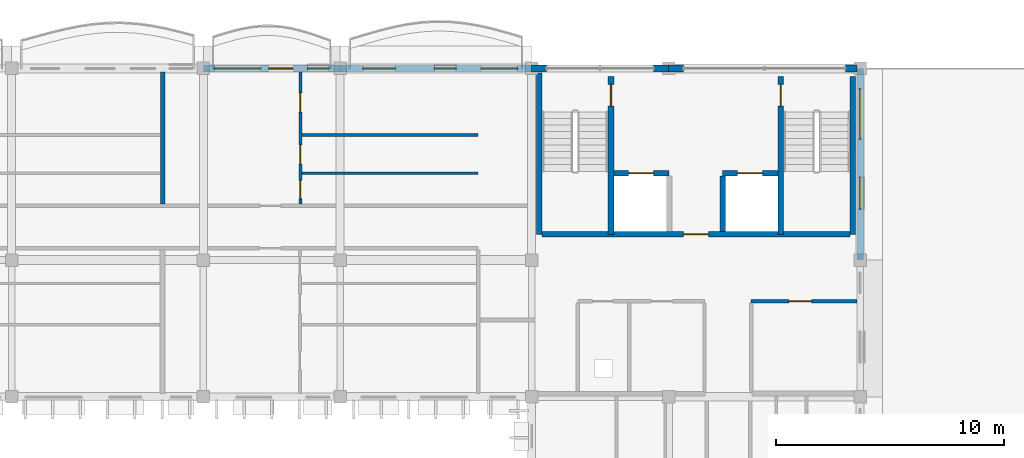
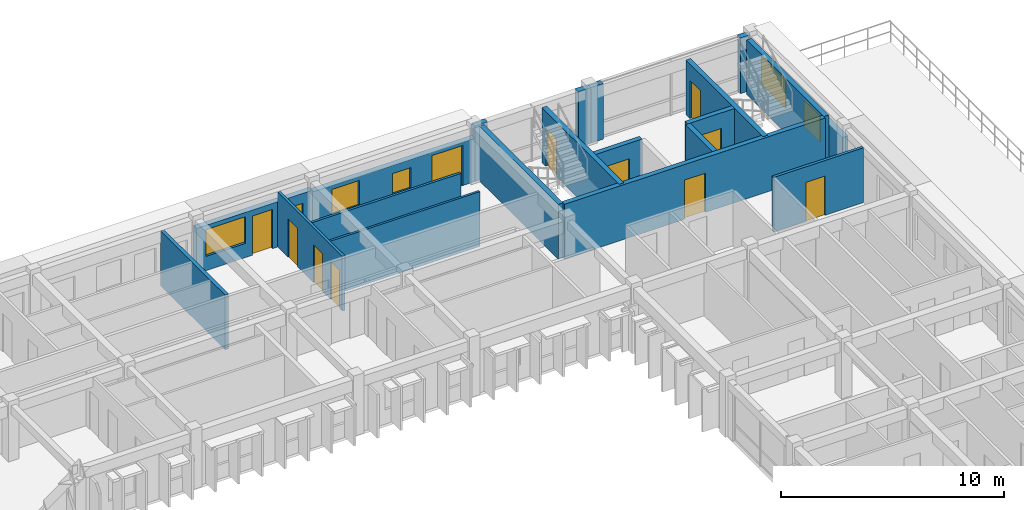
# One storey, part 45 of 68: 20 walls, 11 doors, 6 windows, 17 openings.
"""IFC4 building model written with IfcOpenShell, lengths in metres."""

from ifc_helpers import new_model, si_unit, direction, frame, frame_2d, origin, place, context, subcontext, project, spatial, rectangle, extrude, material, layer, layer_set, type_object, element, fill, save


model = new_model("IFC4")

# Units and contexts
model_context = context("Model", 3, precision=1e-05, world=origin(), true_north=direction((0.0, 1.0)))
body_context = subcontext(model_context, "Body", "Model", "MODEL_VIEW")
ifc_project = project(units=[si_unit("LENGTHUNIT", "METRE"), si_unit("AREAUNIT", "SQUARE_METRE"), si_unit("VOLUMEUNIT", "CUBIC_METRE"), si_unit("PLANEANGLEUNIT", "RADIAN"), si_unit("MASSUNIT", "GRAM", prefix="KILO"), si_unit("THERMODYNAMICTEMPERATUREUNIT", "KELVIN")], contexts=[model_context])

# Site, building, storey
site_placement = place(None, origin())
site = spatial("IfcSite", under=ifc_project, at=site_placement, CompositionType="ELEMENT")
building_placement = place(site_placement, origin())
building = spatial("IfcBuilding", under=site, at=building_placement, Name="Thalorik Housing Commons", CompositionType="ELEMENT")
storey_placement = place(building_placement, frame((0.0, 0.0, 24.60009765625)))
storey = spatial("IfcBuildingStorey", under=building, at=storey_placement, Name="L07", CompositionType="ELEMENT", Elevation=24.60009765625)

# Wall, opening, door
ifc_material_1 = material(Name="Concrete C40/50", Category="concrete")
ifc_layer_1 = layer(ifc_material_1, 0.25, Name="Concrete C40/50", Category="concrete")
ifc_layer_set_1 = layer_set([ifc_layer_1], Name="Concrete C40/50")
wall_type_1 = type_object("IfcWallType", Name="ARC-WAL-CORE-250", PredefinedType="SHEAR", material=ifc_layer_set_1)
wall_1_placement = place(storey_placement, frame((155.875, 123.25, 0.0), z_axis=(0.0, 0.0, 1.0), x_axis=(0.0, -1.0, 0.0)))
wall_1 = element("IfcWall", 1, at=wall_1_placement, inside=storey, type_object=wall_type_1, Name="L07 Core B Stair 1 Shear Wall", PredefinedType="SHEAR", context=body_context, shape_type="SweptSolid", body=[
    extrude(rectangle(XDim=6.925048828125, YDim=0.25, at=frame_2d((3.46240234375, 0.0))), origin(), (0.0, 0.0, 1.0), 3.0),
])
opening_1_placement = place(wall_1_placement, frame((0.35009765625, 0.0, 0.0)))
opening_1 = element("IfcOpeningElement", 2, at=opening_1_placement, cuts=wall_1, Name="Opening ID-0201", PredefinedType="OPENING", context=body_context, shape_type="SweptSolid", body=[
    extrude(rectangle(XDim=0.949951171875, YDim=2.10009765625, at=frame_2d((0.47509765625, 1.050048828125))), frame((0.0, 0.135009765625, 0.0), z_axis=(0.0, -1.0, 0.0), x_axis=(1.0, 0.0, 0.0)), (0.0, 0.0, 1.0), 0.27001953125),
])
ifc_material_2 = material(Name="Steel S355", Category="steel")
door_type_1 = type_object("IfcDoorType", Name="ARC-DR-FD60-950", OperationType="NOTDEFINED", PredefinedType="DOOR", material=ifc_material_2)
door_1_placement = place(opening_1_placement, origin())
door_1 = element("IfcDoor", 3, at=door_1_placement, inside=storey, type_object=door_type_1, Name="L07 Stair ST-B1 Fire Door", OperationType="SINGLE_SWING_RIGHT", OverallHeight=2.10009765625, OverallWidth=0.949951171875, PredefinedType="DOOR", context=body_context, shape_type="SweptSolid", body=[
    extrude(rectangle(XDim=0.949951171875, YDim=2.10009765625, at=frame_2d((0.47509765625, 1.050048828125))), frame((0.0, 0.02490234375, 0.0), z_axis=(0.0, -1.0, 0.0), x_axis=(1.0, 0.0, 0.0)), (0.0, 0.0, 1.0), 0.050048828125),
])
fill(opening_1, door_1)

# Walls
wall_2_placement = place(storey_placement, frame((152.72509765625, 123.39990234375, 0.0), z_axis=(0.0, 0.0, 1.0), x_axis=(0.0, -1.0, 0.0)))
element("IfcWall", 4, at=wall_2_placement, inside=storey, type_object=wall_type_1, Name="L07 Core B Stair 1 Outer Shear Wall", PredefinedType="SHEAR", context=body_context, shape_type="SweptSolid", body=[
    extrude(rectangle(XDim=7.074951171875, YDim=0.25, at=frame_2d((3.53759765625, 0.0))), origin(), (0.0, 0.0, 1.0), 3.0),
])
wall_3_placement = place(storey_placement, frame((166.47509765625, 123.25, 0.0), z_axis=(0.0, 0.0, 1.0), x_axis=(0.0, -1.0, 0.0)))
element("IfcWall", 5, at=wall_3_placement, inside=storey, type_object=wall_type_1, Name="L07 Core B Stair 2 Outer Shear Wall", PredefinedType="SHEAR", context=body_context, shape_type="SweptSolid", body=[
    extrude(rectangle(XDim=6.925048828125, YDim=0.25, at=frame_2d((3.46240234375, 0.0))), origin(), (0.0, 0.0, 1.0), 3.0),
])

# Wall, opening, door
wall_4_placement = place(storey_placement, frame((163.324951171875, 123.25, 0.0), z_axis=(0.0, 0.0, 1.0), x_axis=(0.0, -1.0, 0.0)))
wall_4 = element("IfcWall", 6, at=wall_4_placement, inside=storey, type_object=wall_type_1, Name="L07 Core B Stair 2 Shear Wall", PredefinedType="SHEAR", context=body_context, shape_type="SweptSolid", body=[
    extrude(rectangle(XDim=6.925048828125, YDim=0.25, at=frame_2d((3.46240234375, 0.0))), origin(), (0.0, 0.0, 1.0), 3.0),
])
opening_2_placement = place(wall_4_placement, frame((0.35009765625, 0.0, 0.0)))
opening_2 = element("IfcOpeningElement", 7, at=opening_2_placement, cuts=wall_4, Name="Opening ID-0202", PredefinedType="OPENING", context=body_context, shape_type="SweptSolid", body=[
    extrude(rectangle(XDim=0.949951171875, YDim=2.10009765625, at=frame_2d((0.47509765625, 1.050048828125))), frame((0.0, 0.135009765625, 0.0), z_axis=(0.0, -1.0, 0.0), x_axis=(1.0, 0.0, 0.0)), (0.0, 0.0, 1.0), 0.27001953125),
])
door_2_placement = place(opening_2_placement, origin())
door_2 = element("IfcDoor", 8, at=door_2_placement, inside=storey, type_object=door_type_1, Name="L07 Stair ST-B2 Fire Door", OperationType="SINGLE_SWING_LEFT", OverallHeight=2.10009765625, OverallWidth=0.949951171875, PredefinedType="DOOR", context=body_context, shape_type="SweptSolid", body=[
    extrude(rectangle(XDim=0.949951171875, YDim=2.10009765625, at=frame_2d((0.47509765625, 1.050048828125))), frame((0.0, 0.02490234375, 0.0), z_axis=(0.0, -1.0, 0.0), x_axis=(1.0, 0.0, 0.0)), (0.0, 0.0, 1.0), 0.050048828125),
])
fill(opening_2, door_2)

wall_5_placement = place(storey_placement, frame((156.0, 119.0, 0.0), z_axis=(0.0, 0.0, 1.0), x_axis=(1.0, 0.0, 0.0)))
wall_5 = element("IfcWall", 9, at=wall_5_placement, inside=storey, type_object=wall_type_1, Name="L07 Lift LF-B1 Front Shaft Wall", PredefinedType="SHEAR", context=body_context, shape_type="SweptSolid", body=[
    extrude(rectangle(XDim=2.425048828125, YDim=0.25, at=frame_2d((1.21240234375, 0.0))), origin(), (0.0, 0.0, 1.0), 3.0),
])
opening_3_placement = place(wall_5_placement, frame((0.64990234375, 0.0, 0.0)))
opening_3 = element("IfcOpeningElement", 10, at=opening_3_placement, cuts=wall_5, Name="Opening LD-LF-B1-L07", PredefinedType="OPENING", context=body_context, shape_type="SweptSolid", body=[
    extrude(rectangle(XDim=1.10009765625, YDim=2.14990234375, at=frame_2d((0.550048828125, 1.074951171875))), frame((0.0, 0.135009765625, 0.0), z_axis=(0.0, -1.0, 0.0), x_axis=(1.0, 0.0, 0.0)), (0.0, 0.0, 1.0), 0.27001953125),
])
door_type_2 = type_object("IfcDoorType", Name="ARC-DR-LIFT-1100", OperationType="NOTDEFINED", PredefinedType="DOOR", material=ifc_material_2)
door_3_placement = place(opening_3_placement, origin())
door_3 = element("IfcDoor", 11, at=door_3_placement, inside=storey, type_object=door_type_2, Name="L07 Lift LF-B1 Landing Door", OperationType="SLIDING_TO_LEFT", OverallHeight=2.14990234375, OverallWidth=1.10009765625, PredefinedType="DOOR", context=body_context, shape_type="SweptSolid", body=[
    extrude(rectangle(XDim=1.10009765625, YDim=2.14990234375, at=frame_2d((0.550048828125, 1.074951171875))), frame((0.0, 0.02490234375, 0.0), z_axis=(0.0, -1.0, 0.0), x_axis=(1.0, 0.0, 0.0)), (0.0, 0.0, 1.0), 0.050048828125),
])
fill(opening_3, door_3)

wall_6_placement = place(storey_placement, frame((160.77490234375, 119.0, 0.0), z_axis=(0.0, 0.0, 1.0), x_axis=(1.0, 0.0, 0.0)))
wall_6 = element("IfcWall", 12, at=wall_6_placement, inside=storey, type_object=wall_type_1, Name="L07 Lift LP-B2 Front Shaft Wall", PredefinedType="SHEAR", context=body_context, shape_type="SweptSolid", body=[
    extrude(rectangle(XDim=2.425048828125, YDim=0.25, at=frame_2d((1.21240234375, 0.0))), origin(), (0.0, 0.0, 1.0), 3.0),
])
opening_4_placement = place(wall_6_placement, frame((0.64990234375, 0.0, 0.0)))
opening_4 = element("IfcOpeningElement", 13, at=opening_4_placement, cuts=wall_6, Name="Opening LD-LP-B2-L07", PredefinedType="OPENING", context=body_context, shape_type="SweptSolid", body=[
    extrude(rectangle(XDim=1.10009765625, YDim=2.14990234375, at=frame_2d((0.550048828125, 1.074951171875))), frame((0.0, 0.135009765625, 0.0), z_axis=(0.0, -1.0, 0.0), x_axis=(1.0, 0.0, 0.0)), (0.0, 0.0, 1.0), 0.27001953125),
])
door_4_placement = place(opening_4_placement, origin())
door_4 = element("IfcDoor", 14, at=door_4_placement, inside=storey, type_object=door_type_2, Name="L07 Lift LP-B2 Landing Door", OperationType="SLIDING_TO_LEFT", OverallHeight=2.14990234375, OverallWidth=1.10009765625, PredefinedType="DOOR", context=body_context, shape_type="SweptSolid", body=[
    extrude(rectangle(XDim=1.10009765625, YDim=2.14990234375, at=frame_2d((0.550048828125, 1.074951171875))), frame((0.0, 0.02490234375, 0.0), z_axis=(0.0, -1.0, 0.0), x_axis=(1.0, 0.0, 0.0)), (0.0, 0.0, 1.0), 0.050048828125),
])
fill(opening_4, door_4)

# Wall
wall_7_placement = place(storey_placement, frame((160.77490234375, 118.875, 0.0), z_axis=(0.0, 0.0, 1.0), x_axis=(0.0, -1.0, 0.0)))
element("IfcWall", 15, at=wall_7_placement, inside=storey, type_object=wall_type_1, Name="L07 Lift 2 Cheek Wall", PredefinedType="SHEAR", context=body_context, shape_type="SweptSolid", body=[
    extrude(rectangle(XDim=2.425048828125, YDim=0.25, at=frame_2d((1.21240234375, 0.0))), origin(), (0.0, 0.0, 1.0), 3.0),
])

# Wall, opening, door
wall_8_placement = place(storey_placement, frame((152.85009765625, 116.324951171875, 0.0), z_axis=(0.0, 0.0, 1.0), x_axis=(1.0, 0.0, 0.0)))
wall_8 = element("IfcWall", 16, at=wall_8_placement, inside=storey, type_object=wall_type_1, Name="L07 Core B Spine Shear Wall", PredefinedType="SHEAR", context=body_context, shape_type="SweptSolid", body=[
    extrude(rectangle(XDim=13.5, YDim=0.25, at=frame_2d((6.75, 0.0))), origin(), (0.0, 0.0, 1.0), 3.0),
])
opening_5_placement = place(wall_8_placement, frame((6.199951171875, 0.0, 0.0)))
opening_5 = element("IfcOpeningElement", 17, at=opening_5_placement, cuts=wall_8, Name="Opening ID-0205", PredefinedType="OPENING", context=body_context, shape_type="SweptSolid", body=[
    extrude(rectangle(XDim=1.10009765625, YDim=2.14990234375, at=frame_2d((0.550048828125, 1.074951171875))), frame((0.0, 0.135009765625, 0.0), z_axis=(0.0, -1.0, 0.0), x_axis=(1.0, 0.0, 0.0)), (0.0, 0.0, 1.0), 0.27001953125),
])
door_type_3 = type_object("IfcDoorType", Name="ARC-DR-FD60-1100", OperationType="NOTDEFINED", PredefinedType="DOOR", material=ifc_material_2)
door_5_placement = place(opening_5_placement, origin())
door_5 = element("IfcDoor", 18, at=door_5_placement, inside=storey, type_object=door_type_3, Name="L07 Core B Lobby Fire Door", OperationType="SINGLE_SWING_RIGHT", OverallHeight=2.14990234375, OverallWidth=1.10009765625, PredefinedType="DOOR", context=body_context, shape_type="SweptSolid", body=[
    extrude(rectangle(XDim=1.10009765625, YDim=2.14990234375, at=frame_2d((0.550048828125, 1.074951171875))), frame((0.0, 0.02490234375, 0.0), z_axis=(0.0, -1.0, 0.0), x_axis=(1.0, 0.0, 0.0)), (0.0, 0.0, 1.0), 0.050048828125),
])
fill(opening_5, door_5)

# Wall, openings, windows
ifc_material_3 = material(Name="White precast concrete C40/50", Category="concrete")
ifc_layer_2 = layer(ifc_material_3, 0.2900390625, Name="White precast concrete C40/50", Category="concrete")
ifc_layer_set_2 = layer_set([ifc_layer_2], Name="White precast concrete C40/50")
wall_type_2 = type_object("IfcWallType", Name="ARC-WAL-EXT-290", PredefinedType="STANDARD", material=ifc_layer_set_2)
wall_9_placement = place(storey_placement, frame((166.800048828125, 115.199951171875, 0.0), z_axis=(0.0, 0.0, 1.0), x_axis=(0.0, 1.0, 0.0)))
wall_9 = element("IfcWall", 19, at=wall_9_placement, inside=storey, type_object=wall_type_2, Name="L07 Exterior Wall WAL-EXT-L07-B-0636", PredefinedType="STANDARD", context=body_context, shape_type="SweptSolid", body=[
    extrude(rectangle(XDim=8.400146484375, YDim=0.2900390625, at=frame_2d((4.2001953125, 0.0))), origin(), (0.0, 0.0, 1.0), 2.4248046875),
])
opening_6_placement = place(wall_9_placement, frame((2.231201171875, 0.0, 0.780029296875)))
opening_6 = element("IfcOpeningElement", 20, at=opening_6_placement, cuts=wall_9, Name="Opening W-08", PredefinedType="OPENING", context=body_context, shape_type="SweptSolid", body=[
    extrude(rectangle(XDim=1.39990234375, YDim=1.449951171875, at=frame_2d((0.699951171875, 0.72509765625))), frame((0.0, 0.155029296875, 0.0), z_axis=(0.0, -1.0, 0.0), x_axis=(1.0, 0.0, 0.0)), (0.0, 0.0, 1.0), 0.31005859375),
])
opening_7_placement = place(wall_9_placement, frame((5.3037109375, 0.0, 0.780029296875)))
opening_7 = element("IfcOpeningElement", 21, at=opening_7_placement, cuts=wall_9, Name="Opening W-29", PredefinedType="OPENING", context=body_context, shape_type="SweptSolid", body=[
    extrude(rectangle(XDim=2.199951171875, YDim=1.5, at=frame_2d((1.10009765625, 0.75))), frame((0.0, 0.155029296875, 0.0), z_axis=(0.0, -1.0, 0.0), x_axis=(1.0, 0.0, 0.0)), (0.0, 0.0, 1.0), 0.31005859375),
])
ifc_material_4 = material(Name="Anodised aluminium and solar-control low-E glass", Category="aluminium")
window_type_1 = type_object("IfcWindowType", Name="ARC-WIN-08", PartitioningType="SINGLE_PANEL", PredefinedType="WINDOW", material=ifc_material_4)
window_1_placement = place(opening_6_placement, origin())
window_1 = element("IfcWindow", 22, at=window_1_placement, inside=storey, type_object=window_type_1, Name="L07 Facade Window 1165", OverallHeight=1.449951171875, OverallWidth=1.39990234375, PartitioningType="SINGLE_PANEL", PredefinedType="WINDOW", context=body_context, shape_type="SweptSolid", body=[
    extrude(rectangle(XDim=1.39990234375, YDim=1.449951171875, at=frame_2d((0.699951171875, 0.72509765625))), frame((0.0, 0.030029296875, 0.0), z_axis=(0.0, -1.0, 0.0), x_axis=(1.0, 0.0, 0.0)), (0.0, 0.0, 1.0), 0.06005859375),
])
fill(opening_6, window_1)
window_type_2 = type_object("IfcWindowType", Name="ARC-WIN-29", PartitioningType="DOUBLE_PANEL_VERTICAL", PredefinedType="WINDOW", material=ifc_material_4)
window_2_placement = place(opening_7_placement, origin())
window_2 = element("IfcWindow", 23, at=window_2_placement, inside=storey, type_object=window_type_2, Name="L07 Facade Window 1166", OverallHeight=1.5, OverallWidth=2.199951171875, PartitioningType="DOUBLE_PANEL_VERTICAL", PredefinedType="WINDOW", context=body_context, shape_type="SweptSolid", body=[
    extrude(rectangle(XDim=2.199951171875, YDim=1.5, at=frame_2d((1.10009765625, 0.75))), frame((0.0, 0.030029296875, 0.0), z_axis=(0.0, -1.0, 0.0), x_axis=(1.0, 0.0, 0.0)), (0.0, 0.0, 1.0), 0.06005859375),
])
fill(opening_7, window_2)

# Walls
wall_10_placement = place(storey_placement, frame((166.653076171875, 123.60009765625, 0.0), z_axis=(0.0, 0.0, 1.0), x_axis=(-1.0, 0.0, 0.0)))
element("IfcWall", 24, at=wall_10_placement, inside=storey, type_object=wall_type_2, Name="L07 Exterior Wall WAL-PIERL-L07-B-0637", PredefinedType="STANDARD", context=body_context, shape_type="SweptSolid", body=[
    extrude(rectangle(XDim=0.503173828125, YDim=0.2900390625, at=frame_2d((0.25146484375, 0.0))), origin(), (0.0, 0.0, 1.0), 3.039794921875),
])
wall_11_placement = place(storey_placement, frame((159.050048828125, 123.60009765625, 0.0), z_axis=(0.0, 0.0, 1.0), x_axis=(-1.0, 0.0, 0.0)))
element("IfcWall", 25, at=wall_11_placement, inside=storey, type_object=wall_type_2, Name="L07 Exterior Wall WAL-PIERR-L07-B-0637", PredefinedType="STANDARD", context=body_context, shape_type="SweptSolid", body=[
    extrude(rectangle(XDim=0.650146484375, YDim=0.2900390625, at=frame_2d((0.3251953125, 0.0))), origin(), (0.0, 0.0, 1.0), 3.039794921875),
])
wall_12_placement = place(storey_placement, frame((158.39990234375, 123.60009765625, 0.0), z_axis=(0.0, 0.0, 1.0), x_axis=(-1.0, 0.0, 0.0)))
element("IfcWall", 26, at=wall_12_placement, inside=storey, type_object=wall_type_2, Name="L07 Exterior Wall WAL-PIERL-L07-B-0638", PredefinedType="STANDARD", context=body_context, shape_type="SweptSolid", body=[
    extrude(rectangle(XDim=0.64990234375, YDim=0.2900390625, at=frame_2d((0.324951171875, 0.0))), origin(), (0.0, 0.0, 1.0), 3.039794921875),
])
wall_13_placement = place(storey_placement, frame((153.050048828125, 123.60009765625, 0.0), z_axis=(0.0, 0.0, 1.0), x_axis=(-1.0, 0.0, 0.0)))
element("IfcWall", 27, at=wall_13_placement, inside=storey, type_object=wall_type_2, Name="L07 Exterior Wall WAL-PIERR-L07-B-0638", PredefinedType="STANDARD", context=body_context, shape_type="SweptSolid", body=[
    extrude(rectangle(XDim=0.650146484375, YDim=0.2900390625, at=frame_2d((0.3251953125, 0.0))), origin(), (0.0, 0.0, 1.0), 3.039794921875),
])

# Wall, openings, door, windows
wall_14_placement = place(storey_placement, frame((152.39990234375, 123.60009765625, 0.0), z_axis=(0.0, 0.0, 1.0), x_axis=(-1.0, 0.0, 0.0)))
wall_14 = element("IfcWall", 28, at=wall_14_placement, inside=storey, type_object=wall_type_2, Name="L07 Exterior Wall WAL-EXT-L07-B-0639", PredefinedType="STANDARD", context=body_context, shape_type="SweptSolid", body=[
    extrude(rectangle(XDim=8.39990234375, YDim=0.2900390625, at=frame_2d((4.199951171875, 0.0))), origin(), (0.0, 0.0, 1.0), 2.375),
])
opening_8_placement = place(wall_14_placement, frame((0.6201171875, 0.0, 0.0)))
opening_8 = element("IfcOpeningElement", 29, at=opening_8_placement, cuts=wall_14, Name="Opening ED-0208", PredefinedType="OPENING", context=body_context, shape_type="SweptSolid", body=[
    extrude(rectangle(XDim=1.60009765625, YDim=2.199951171875, at=frame_2d((0.800048828125, 1.10009765625))), frame((0.0, 0.155029296875, 0.0), z_axis=(0.0, -1.0, 0.0), x_axis=(1.0, 0.0, 0.0)), (0.0, 0.0, 1.0), 0.31005859375),
])
opening_9_placement = place(wall_14_placement, frame((3.31494140625, 0.0, 0.780029296875)))
opening_9 = element("IfcOpeningElement", 30, at=opening_9_placement, cuts=wall_14, Name="Opening W-43", PredefinedType="OPENING", context=body_context, shape_type="SweptSolid", body=[
    extrude(rectangle(XDim=0.949951171875, YDim=1.14990234375, at=frame_2d((0.47509765625, 0.574951171875))), frame((0.0, 0.155029296875, 0.0), z_axis=(0.0, -1.0, 0.0), x_axis=(1.0, 0.0, 0.0)), (0.0, 0.0, 1.0), 0.31005859375),
])
opening_10_placement = place(wall_14_placement, frame((5.97998046875, 0.0, 0.780029296875)))
opening_10 = element("IfcOpeningElement", 31, at=opening_10_placement, cuts=wall_14, Name="Opening W-50", PredefinedType="OPENING", context=body_context, shape_type="SweptSolid", body=[
    extrude(rectangle(XDim=1.419921875, YDim=1.3798828125, at=frame_2d((0.7099609375, 0.68994140625))), frame((0.0, 0.155029296875, 0.0), z_axis=(0.0, -1.0, 0.0), x_axis=(1.0, 0.0, 0.0)), (0.0, 0.0, 1.0), 0.31005859375),
])
ifc_material_5 = material(Name="Anodised aluminium and laminated safety glass", Category="aluminium")
door_type_4 = type_object("IfcDoorType", Name="ARC-DR-BAL-1600", OperationType="NOTDEFINED", PredefinedType="DOOR", material=ifc_material_5)
door_6_placement = place(opening_8_placement, frame((1.60009765625, 0.0, 0.0), z_axis=(0.0, 0.0, 1.0), x_axis=(-1.0, 0.0, 0.0)))
door_6 = element("IfcDoor", 32, at=door_6_placement, inside=storey, type_object=door_type_4, Name="L07 Block B Balcony Glazed Door", OperationType="SLIDING_TO_LEFT", OverallHeight=2.199951171875, OverallWidth=1.60009765625, PredefinedType="DOOR", context=body_context, shape_type="SweptSolid", body=[
    extrude(rectangle(XDim=1.60009765625, YDim=2.199951171875, at=frame_2d((0.800048828125, 1.10009765625))), frame((0.0, 0.02490234375, 0.0), z_axis=(0.0, -1.0, 0.0), x_axis=(1.0, 0.0, 0.0)), (0.0, 0.0, 1.0), 0.050048828125),
])
fill(opening_8, door_6)
window_type_3 = type_object("IfcWindowType", Name="ARC-WIN-43", PartitioningType="SINGLE_PANEL", PredefinedType="WINDOW", material=ifc_material_4)
window_3_placement = place(opening_9_placement, origin())
window_3 = element("IfcWindow", 33, at=window_3_placement, inside=storey, type_object=window_type_3, Name="L07 Facade Window 1167", OverallHeight=1.14990234375, OverallWidth=0.949951171875, PartitioningType="SINGLE_PANEL", PredefinedType="WINDOW", context=body_context, shape_type="SweptSolid", body=[
    extrude(rectangle(XDim=0.949951171875, YDim=1.14990234375, at=frame_2d((0.47509765625, 0.574951171875))), frame((0.0, 0.030029296875, 0.0), z_axis=(0.0, -1.0, 0.0), x_axis=(1.0, 0.0, 0.0)), (0.0, 0.0, 1.0), 0.06005859375),
])
fill(opening_9, window_3)
window_type_4 = type_object("IfcWindowType", Name="ARC-WIN-50", PartitioningType="SINGLE_PANEL", PredefinedType="WINDOW", material=ifc_material_4)
window_4_placement = place(opening_10_placement, origin())
window_4 = element("IfcWindow", 34, at=window_4_placement, inside=storey, type_object=window_type_4, Name="L07 Facade Window 1168", OverallHeight=1.3798828125, OverallWidth=1.419921875, PartitioningType="SINGLE_PANEL", PredefinedType="WINDOW", context=body_context, shape_type="SweptSolid", body=[
    extrude(rectangle(XDim=1.419921875, YDim=1.3798828125, at=frame_2d((0.7099609375, 0.68994140625))), frame((0.0, 0.030029296875, 0.0), z_axis=(0.0, -1.0, 0.0), x_axis=(1.0, 0.0, 0.0)), (0.0, 0.0, 1.0), 0.06005859375),
])
fill(opening_10, window_4)

wall_15_placement = place(storey_placement, frame((144.0, 123.60009765625, 0.0), z_axis=(0.0, 0.0, 1.0), x_axis=(-1.0, 0.0, 0.0)))
wall_15 = element("IfcWall", 35, at=wall_15_placement, inside=storey, type_object=wall_type_2, Name="L07 Exterior Wall WAL-EXT-L07-B-0640", PredefinedType="STANDARD", context=body_context, shape_type="SweptSolid", body=[
    extrude(rectangle(XDim=6.0, YDim=0.2900390625, at=frame_2d((3.0, 0.0))), origin(), (0.0, 0.0, 1.0), 2.474853515625),
])
opening_11_placement = place(wall_15_placement, frame((2.071533203125, 0.0, 0.0)))
opening_11 = element("IfcOpeningElement", 36, at=opening_11_placement, cuts=wall_15, Name="Opening ED-0209", PredefinedType="OPENING", context=body_context, shape_type="SweptSolid", body=[
    extrude(rectangle(XDim=1.050048828125, YDim=2.14990234375, at=frame_2d((0.52490234375, 1.074951171875))), frame((0.0, 0.155029296875, 0.0), z_axis=(0.0, -1.0, 0.0), x_axis=(1.0, 0.0, 0.0)), (0.0, 0.0, 1.0), 0.31005859375),
])
opening_12_placement = place(wall_15_placement, frame((0.49072265625, 0.0, 0.780029296875)))
opening_12 = element("IfcOpeningElement", 37, at=opening_12_placement, cuts=wall_15, Name="Opening W-43", PredefinedType="OPENING", context=body_context, shape_type="SweptSolid", body=[
    extrude(rectangle(XDim=0.949951171875, YDim=1.14990234375, at=frame_2d((0.47509765625, 0.574951171875))), frame((0.0, 0.155029296875, 0.0), z_axis=(0.0, -1.0, 0.0), x_axis=(1.0, 0.0, 0.0)), (0.0, 0.0, 1.0), 0.31005859375),
])
opening_13_placement = place(wall_15_placement, frame((3.470703125, 0.0, 0.780029296875)))
opening_13 = element("IfcOpeningElement", 38, at=opening_13_placement, cuts=wall_15, Name="Opening W-62", PredefinedType="OPENING", context=body_context, shape_type="SweptSolid", body=[
    extrude(rectangle(XDim=2.0400390625, YDim=1.4599609375, at=frame_2d((1.02001953125, 0.72998046875))), frame((0.0, 0.155029296875, 0.0), z_axis=(0.0, -1.0, 0.0), x_axis=(1.0, 0.0, 0.0)), (0.0, 0.0, 1.0), 0.31005859375),
])
door_type_5 = type_object("IfcDoorType", Name="ARC-DR-BAL-1050", OperationType="NOTDEFINED", PredefinedType="DOOR", material=ifc_material_5)
door_7_placement = place(opening_11_placement, frame((1.050048828125, 0.0, 0.0), z_axis=(0.0, 0.0, 1.0), x_axis=(-1.0, 0.0, 0.0)))
door_7 = element("IfcDoor", 39, at=door_7_placement, inside=storey, type_object=door_type_5, Name="L07 Block B Balcony Glazed Door", OperationType="SINGLE_SWING_RIGHT", OverallHeight=2.14990234375, OverallWidth=1.050048828125, PredefinedType="DOOR", context=body_context, shape_type="SweptSolid", body=[
    extrude(rectangle(XDim=1.050048828125, YDim=2.14990234375, at=frame_2d((0.52490234375, 1.074951171875))), frame((0.0, 0.02490234375, 0.0), z_axis=(0.0, -1.0, 0.0), x_axis=(1.0, 0.0, 0.0)), (0.0, 0.0, 1.0), 0.050048828125),
])
fill(opening_11, door_7)
window_5_placement = place(opening_12_placement, origin())
window_5 = element("IfcWindow", 40, at=window_5_placement, inside=storey, type_object=window_type_3, Name="L07 Facade Window 1169", OverallHeight=1.14990234375, OverallWidth=0.949951171875, PartitioningType="SINGLE_PANEL", PredefinedType="WINDOW", context=body_context, shape_type="SweptSolid", body=[
    extrude(rectangle(XDim=0.949951171875, YDim=1.14990234375, at=frame_2d((0.47509765625, 0.574951171875))), frame((0.0, 0.030029296875, 0.0), z_axis=(0.0, -1.0, 0.0), x_axis=(1.0, 0.0, 0.0)), (0.0, 0.0, 1.0), 0.06005859375),
])
fill(opening_12, window_5)
window_type_5 = type_object("IfcWindowType", Name="ARC-WIN-62", PartitioningType="DOUBLE_PANEL_VERTICAL", PredefinedType="WINDOW", material=ifc_material_4)
window_6_placement = place(opening_13_placement, origin())
window_6 = element("IfcWindow", 41, at=window_6_placement, inside=storey, type_object=window_type_5, Name="L07 Facade Window 1170", OverallHeight=1.4599609375, OverallWidth=2.0400390625, PartitioningType="DOUBLE_PANEL_VERTICAL", PredefinedType="WINDOW", context=body_context, shape_type="SweptSolid", body=[
    extrude(rectangle(XDim=2.0400390625, YDim=1.4599609375, at=frame_2d((1.02001953125, 0.72998046875))), frame((0.0, 0.030029296875, 0.0), z_axis=(0.0, -1.0, 0.0), x_axis=(1.0, 0.0, 0.0)), (0.0, 0.0, 1.0), 0.06005859375),
])
fill(opening_13, window_6)

# Walls
ifc_material_6 = material(Name="Gypsum moisture-resistant partition", Category="masonry")
ifc_layer_3 = layer(ifc_material_6, 0.114990234375, Name="Gypsum moisture-resistant partition", Category="masonry")
ifc_layer_set_3 = layer_set([ifc_layer_3], Name="Gypsum moisture-resistant partition")
wall_type_3 = type_object("IfcWallType", Name="ARC-WAL-PART-115", PredefinedType="PARTITIONING", material=ifc_layer_set_3)
wall_16_placement = place(storey_placement, frame((142.330322265625, 119.010498046875, 0.0), z_axis=(0.0, 0.0, 1.0), x_axis=(1.0, 0.0, 0.0)))
element("IfcWall", 42, at=wall_16_placement, inside=storey, type_object=wall_type_3, Name="L07 Unit 4B Wet Wall", PredefinedType="PARTITIONING", context=body_context, shape_type="SweptSolid", body=[
    extrude(rectangle(XDim=7.7197265625, YDim=0.114990234375, at=frame_2d((3.85986328125, 0.0))), origin(), (0.0, 0.0, 1.0), 3.0),
])
ifc_material_7 = material(Name="Gypsum acoustic stud partition", Category="masonry")
ifc_layer_4 = layer(ifc_material_7, 0.125, Name="Gypsum acoustic stud partition", Category="masonry")
ifc_layer_set_4 = layer_set([ifc_layer_4], Name="Gypsum acoustic stud partition")
wall_type_4 = type_object("IfcWallType", Name="ARC-WAL-PART-125", PredefinedType="PARTITIONING", material=ifc_layer_set_4)
wall_17_placement = place(storey_placement, frame((142.330322265625, 120.67919921875, 0.0), z_axis=(0.0, 0.0, 1.0), x_axis=(1.0, 0.0, 0.0)))
element("IfcWall", 43, at=wall_17_placement, inside=storey, type_object=wall_type_4, Name="L07 Unit 4B Bedroom Partition", PredefinedType="PARTITIONING", context=body_context, shape_type="SweptSolid", body=[
    extrude(rectangle(XDim=7.7197265625, YDim=0.125, at=frame_2d((3.85986328125, 0.0))), origin(), (0.0, 0.0, 1.0), 3.0),
])

# Wall, openings, doors
ifc_material_8 = material(Name="Ceramic masonry partition wall", Category="masonry")
ifc_layer_5 = layer(ifc_material_8, 0.139892578125, Name="Ceramic masonry partition wall", Category="masonry")
ifc_layer_set_5 = layer_set([ifc_layer_5], Name="Ceramic masonry partition wall")
wall_type_5 = type_object("IfcWallType", Name="ARC-WAL-PART-140", PredefinedType="PARTITIONING", material=ifc_layer_set_5)
wall_18_placement = place(storey_placement, frame((142.25830078125, 117.66455078125, 0.0), z_axis=(0.0, 0.0, 1.0), x_axis=(0.0, 1.0, 0.0)))
wall_18 = element("IfcWall", 44, at=wall_18_placement, inside=storey, type_object=wall_type_5, Name="L07 Unit 4B Spine Partition", PredefinedType="PARTITIONING", context=body_context, shape_type="SweptSolid", body=[
    extrude(rectangle(XDim=5.788330078125, YDim=0.139892578125, at=frame_2d((2.89404296875, 0.0))), origin(), (0.0, 0.0, 1.0), 3.0),
])
opening_14_placement = place(wall_18_placement, frame((0.230712890625, 0.0, 0.0)))
opening_14 = element("IfcOpeningElement", 45, at=opening_14_placement, cuts=wall_18, Name="Opening ID-1299", PredefinedType="OPENING", context=body_context, shape_type="SweptSolid", body=[
    extrude(rectangle(XDim=0.800048828125, YDim=2.10009765625, at=frame_2d((0.39990234375, 1.050048828125))), frame((0.0, 0.080078125, 0.0), z_axis=(0.0, -1.0, 0.0), x_axis=(1.0, 0.0, 0.0)), (0.0, 0.0, 1.0), 0.159912109375),
])
opening_15_placement = place(wall_18_placement, frame((1.75537109375, 0.0, 0.0)))
opening_15 = element("IfcOpeningElement", 46, at=opening_15_placement, cuts=wall_18, Name="Opening ID-1300", PredefinedType="OPENING", context=body_context, shape_type="SweptSolid", body=[
    extrude(rectangle(XDim=0.820068359375, YDim=2.080078125, at=frame_2d((0.41015625, 1.0400390625))), frame((0.0, 0.080078125, 0.0), z_axis=(0.0, -1.0, 0.0), x_axis=(1.0, 0.0, 0.0)), (0.0, 0.0, 1.0), 0.159912109375),
])
opening_16_placement = place(wall_18_placement, frame((4.02001953125, 0.0, 0.0)))
opening_16 = element("IfcOpeningElement", 47, at=opening_16_placement, cuts=wall_18, Name="Opening ID-1301", PredefinedType="OPENING", context=body_context, shape_type="SweptSolid", body=[
    extrude(rectangle(XDim=0.85009765625, YDim=2.10009765625, at=frame_2d((0.425048828125, 1.050048828125))), frame((0.0, 0.080078125, 0.0), z_axis=(0.0, -1.0, 0.0), x_axis=(1.0, 0.0, 0.0)), (0.0, 0.0, 1.0), 0.159912109375),
])
ifc_material_9 = material(Name="Moisture-resistant timber", Category="wood")
door_type_6 = type_object("IfcDoorType", Name="ARC-DR-INT-800", OperationType="NOTDEFINED", PredefinedType="DOOR", material=ifc_material_9)
door_8_placement = place(opening_14_placement, origin())
door_8 = element("IfcDoor", 48, at=door_8_placement, inside=storey, type_object=door_type_6, Name="L07 Flat Bathroom Door", OperationType="SINGLE_SWING_RIGHT", OverallHeight=2.10009765625, OverallWidth=0.800048828125, PredefinedType="DOOR", context=body_context, shape_type="SweptSolid", body=[
    extrude(rectangle(XDim=0.800048828125, YDim=2.10009765625, at=frame_2d((0.39990234375, 1.050048828125))), frame((0.0, 0.02490234375, 0.0), z_axis=(0.0, -1.0, 0.0), x_axis=(1.0, 0.0, 0.0)), (0.0, 0.0, 1.0), 0.050048828125),
])
fill(opening_14, door_8)
ifc_material_10 = material(Name="Engineered oak timber", Category="wood")
door_type_7 = type_object("IfcDoorType", Name="ARC-DR-INT-820", OperationType="NOTDEFINED", PredefinedType="DOOR", material=ifc_material_10)
door_9_placement = place(opening_15_placement, origin())
door_9 = element("IfcDoor", 49, at=door_9_placement, inside=storey, type_object=door_type_7, Name="L07 Galley Kitchen Door", OperationType="SINGLE_SWING_LEFT", OverallHeight=2.080078125, OverallWidth=0.820068359375, PredefinedType="DOOR", context=body_context, shape_type="SweptSolid", body=[
    extrude(rectangle(XDim=0.820068359375, YDim=2.080078125, at=frame_2d((0.41015625, 1.0400390625))), frame((0.0, 0.02490234375, 0.0), z_axis=(0.0, -1.0, 0.0), x_axis=(1.0, 0.0, 0.0)), (0.0, 0.0, 1.0), 0.050048828125),
])
fill(opening_15, door_9)
door_type_8 = type_object("IfcDoorType", Name="ARC-DR-INT-850", OperationType="NOTDEFINED", PredefinedType="DOOR", material=ifc_material_10)
door_10_placement = place(opening_16_placement, origin())
door_10 = element("IfcDoor", 50, at=door_10_placement, inside=storey, type_object=door_type_8, Name="L07 Double Bedroom Door", OperationType="SINGLE_SWING_RIGHT", OverallHeight=2.10009765625, OverallWidth=0.85009765625, PredefinedType="DOOR", context=body_context, shape_type="SweptSolid", body=[
    extrude(rectangle(XDim=0.85009765625, YDim=2.10009765625, at=frame_2d((0.425048828125, 1.050048828125))), frame((0.0, 0.02490234375, 0.0), z_axis=(0.0, -1.0, 0.0), x_axis=(1.0, 0.0, 0.0)), (0.0, 0.0, 1.0), 0.050048828125),
])
fill(opening_16, door_10)

# Wall, opening, door
ifc_layer_6 = layer(ifc_material_8, 0.14794921875, Name="Ceramic masonry partition wall", Category="masonry")
ifc_layer_set_6 = layer_set([ifc_layer_6], Name="Ceramic masonry partition wall")
wall_type_6 = type_object("IfcWallType", Name="ARC-WAL-PART-150", PredefinedType="PARTITIONING", material=ifc_layer_set_6)
wall_19_placement = place(storey_placement, frame((162.02490234375, 113.39990234375, 0.0), z_axis=(0.0, 0.0, 1.0), x_axis=(1.0, 0.0, 0.0)))
wall_19 = element("IfcWall", 51, at=wall_19_placement, inside=storey, type_object=wall_type_6, Name="L07 Core B East Corridor Partition", PredefinedType="PARTITIONING", context=body_context, shape_type="SweptSolid", body=[
    extrude(rectangle(XDim=4.635009765625, YDim=0.14794921875, at=frame_2d((2.3173828125, 0.0))), origin(), (0.0, 0.0, 1.0), 3.0),
])
opening_17_placement = place(wall_19_placement, frame((1.64990234375, 0.0, 0.0)))
opening_17 = element("IfcOpeningElement", 52, at=opening_17_placement, cuts=wall_19, Name="Opening ID-0208", PredefinedType="OPENING", context=body_context, shape_type="SweptSolid", body=[
    extrude(rectangle(XDim=1.0, YDim=2.14990234375, at=frame_2d((0.5, 1.074951171875))), frame((0.0, 0.083984375, 0.0), z_axis=(0.0, -1.0, 0.0), x_axis=(1.0, 0.0, 0.0)), (0.0, 0.0, 1.0), 0.16796875),
])
door_type_9 = type_object("IfcDoorType", Name="ARC-DR-FD60-1000", OperationType="NOTDEFINED", PredefinedType="DOOR", material=ifc_material_2)
door_11_placement = place(opening_17_placement, origin())
door_11 = element("IfcDoor", 53, at=door_11_placement, inside=storey, type_object=door_type_9, Name="Core Hub Room Door", OperationType="SINGLE_SWING_LEFT", OverallHeight=2.14990234375, OverallWidth=1.0, PredefinedType="DOOR", context=body_context, shape_type="SweptSolid", body=[
    extrude(rectangle(XDim=1.0, YDim=2.14990234375, at=frame_2d((0.5, 1.074951171875))), frame((0.0, 0.02490234375, 0.0), z_axis=(0.0, -1.0, 0.0), x_axis=(1.0, 0.0, 0.0)), (0.0, 0.0, 1.0), 0.050048828125),
])
fill(opening_17, door_11)

# Wall
ifc_material_11 = material(Name="Masonry acoustic blockwork wall", Category="masonry")
ifc_layer_7 = layer(ifc_material_11, 0.18505859375, Name="Masonry acoustic blockwork wall", Category="masonry")
ifc_layer_set_7 = layer_set([ifc_layer_7], Name="Masonry acoustic blockwork wall")
wall_type_7 = type_object("IfcWallType", Name="ARC-WAL-PARTY-185", PredefinedType="PARTITIONING", material=ifc_layer_set_7)
wall_20_placement = place(storey_placement, frame((136.219970703125, 117.66455078125, 0.0), z_axis=(0.0, 0.0, 1.0), x_axis=(0.0, 1.0, 0.0)))
element("IfcWall", 54, at=wall_20_placement, inside=storey, type_object=wall_type_7, Name="L07 Inter-Tenancy Wall 3B", PredefinedType="PARTITIONING", context=body_context, shape_type="SweptSolid", body=[
    extrude(rectangle(XDim=5.788330078125, YDim=0.18505859375, at=frame_2d((2.89404296875, 0.0))), origin(), (0.0, 0.0, 1.0), 3.0),
])

save(model, "model.ifc")
